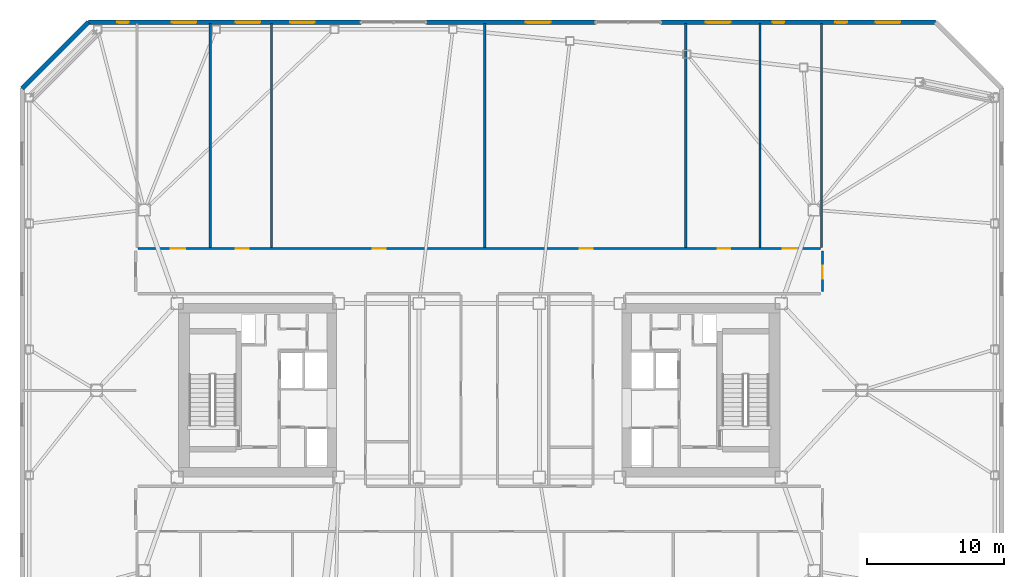
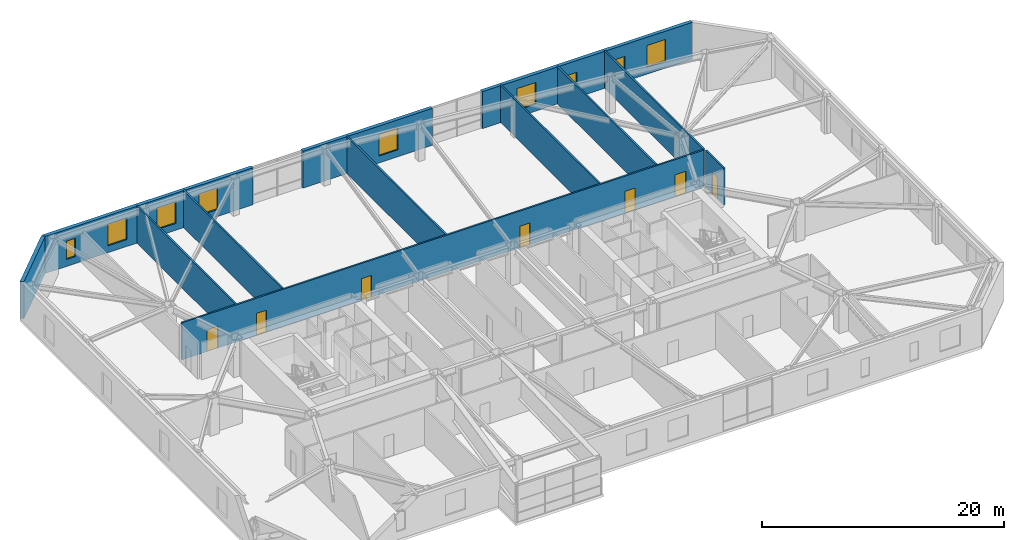
# One storey, part 14 of 19: 12 walls, 9 windows, 7 doors, 16 openings.
"""IFC4 building model written with IfcOpenShell, lengths in metres."""

from ifc_helpers import new_model, si_unit, direction, frame, frame_2d, origin, place, context, subcontext, project, spatial, rectangle, extrude, material, layer, layer_set, type_object, element, fill, save


model = new_model("IFC4")

# Units and contexts
model_context = context("Model", 3, precision=1e-05, world=origin(), true_north=direction((0.0, 1.0)))
body_context = subcontext(model_context, "Body", "Model", "MODEL_VIEW")
ifc_project = project(units=[si_unit("LENGTHUNIT", "METRE"), si_unit("AREAUNIT", "SQUARE_METRE"), si_unit("VOLUMEUNIT", "CUBIC_METRE"), si_unit("PLANEANGLEUNIT", "RADIAN"), si_unit("MASSUNIT", "GRAM", prefix="KILO")], contexts=[model_context])

# Site, building, storey
site_placement = place(None, origin())
site = spatial("IfcSite", under=ifc_project, at=site_placement, CompositionType="ELEMENT")
building_placement = place(site_placement, origin())
building = spatial("IfcBuilding", under=site, at=building_placement, Name="Tavrogorsk Clinical Tower", CompositionType="ELEMENT")
storey_placement = place(building_placement, frame((0.0, 0.0, 156.199951171875)))
storey = spatial("IfcBuildingStorey", under=building, at=storey_placement, Name="L35", CompositionType="ELEMENT", Elevation=156.199951171875)

# Wall, openings, doors
ifc_material_1 = material(Name="Lightweight concrete blockwork B15", Category="masonry")
ifc_layer_1 = layer(ifc_material_1, 0.159912109375)
ifc_layer_set_1 = layer_set([ifc_layer_1], Name="Lightweight concrete blockwork B15")
wall_type_1 = type_object("IfcWallType", Name="PartitionWall_160", PredefinedType="PARTITIONING", material=ifc_layer_set_1)
wall_1_placement = place(storey_placement, frame((-24.965087890625, 10.3798828125, 0.0), z_axis=(0.0, 0.0, 1.0), x_axis=(1.0, 0.0, 0.0)))
wall_1 = element("IfcWall", 1, at=wall_1_placement, inside=storey, type_object=wall_type_1, Name="L35 Corridor Partition 07", PredefinedType="PARTITIONING", context=body_context, shape_type="SweptSolid", body=[
    extrude(rectangle(XDim=49.93017578125, YDim=0.159912109375, at=frame_2d((24.965087890625, 0.0))), origin(), (0.0, 0.0, 1.0), 3.739990234375),
])
opening_1_placement = place(wall_1_placement, frame((2.406494140625, 0.0, 0.0)))
opening_1 = element("IfcOpeningElement", 2, at=opening_1_placement, cuts=wall_1, Name="Opening ID-04", PredefinedType="OPENING", context=body_context, shape_type="SweptSolid", body=[
    extrude(rectangle(XDim=1.050048828125, YDim=2.199951171875, at=frame_2d((0.52490234375, 1.10009765625))), frame((0.0, 0.08984375, 0.0), z_axis=(0.0, -1.0, 0.0), x_axis=(1.0, 0.0, 0.0)), (0.0, 0.0, 1.0), 0.179931640625),
])
opening_2_placement = place(wall_1_placement, frame((7.137451171875, 0.0, 0.0)))
opening_2 = element("IfcOpeningElement", 3, at=opening_2_placement, cuts=wall_1, Name="Opening ID-02", PredefinedType="OPENING", context=body_context, shape_type="SweptSolid", body=[
    extrude(rectangle(XDim=0.949951171875, YDim=2.199951171875, at=frame_2d((0.47509765625, 1.10009765625))), frame((0.0, 0.08984375, 0.0), z_axis=(0.0, -1.0, 0.0), x_axis=(1.0, 0.0, 0.0)), (0.0, 0.0, 1.0), 0.179931640625),
])
opening_3_placement = place(wall_1_placement, frame((17.179931640625, 0.0, 0.0)))
opening_3 = element("IfcOpeningElement", 4, at=opening_3_placement, cuts=wall_1, Name="Opening ID-02", PredefinedType="OPENING", context=body_context, shape_type="SweptSolid", body=[
    extrude(rectangle(XDim=0.949951171875, YDim=2.199951171875, at=frame_2d((0.47509765625, 1.10009765625))), frame((0.0, 0.08984375, 0.0), z_axis=(0.0, -1.0, 0.0), x_axis=(1.0, 0.0, 0.0)), (0.0, 0.0, 1.0), 0.179931640625),
])
opening_4_placement = place(wall_1_placement, frame((32.340087890625, 0.0, 0.0)))
opening_4 = element("IfcOpeningElement", 5, at=opening_4_placement, cuts=wall_1, Name="Opening ID-02", PredefinedType="OPENING", context=body_context, shape_type="SweptSolid", body=[
    extrude(rectangle(XDim=0.949951171875, YDim=2.199951171875, at=frame_2d((0.47509765625, 1.10009765625))), frame((0.0, 0.08984375, 0.0), z_axis=(0.0, -1.0, 0.0), x_axis=(1.0, 0.0, 0.0)), (0.0, 0.0, 1.0), 0.179931640625),
])
opening_5_placement = place(wall_1_placement, frame((42.402587890625, 0.0, 0.0)))
opening_5 = element("IfcOpeningElement", 6, at=opening_5_placement, cuts=wall_1, Name="Opening ID-02", PredefinedType="OPENING", context=body_context, shape_type="SweptSolid", body=[
    extrude(rectangle(XDim=0.949951171875, YDim=2.199951171875, at=frame_2d((0.47509765625, 1.10009765625))), frame((0.0, 0.08984375, 0.0), z_axis=(0.0, -1.0, 0.0), x_axis=(1.0, 0.0, 0.0)), (0.0, 0.0, 1.0), 0.179931640625),
])
opening_6_placement = place(wall_1_placement, frame((47.17333984375, 0.0, 0.0)))
opening_6 = element("IfcOpeningElement", 7, at=opening_6_placement, cuts=wall_1, Name="Opening ID-04", PredefinedType="OPENING", context=body_context, shape_type="SweptSolid", body=[
    extrude(rectangle(XDim=1.050048828125, YDim=2.199951171875, at=frame_2d((0.52490234375, 1.10009765625))), frame((0.0, 0.08984375, 0.0), z_axis=(0.0, -1.0, 0.0), x_axis=(1.0, 0.0, 0.0)), (0.0, 0.0, 1.0), 0.179931640625),
])
ifc_material_2 = material(Name="Antibacterial HPL consultation door on aluminium frame", Category="aluminium")
door_type_1 = type_object("IfcDoorType", Name="ConsultDoor_ID04_1050", OperationType="NOTDEFINED", PredefinedType="DOOR", material=ifc_material_2)
door_1_placement = place(opening_1_placement, origin())
door_1 = element("IfcDoor", 8, at=door_1_placement, inside=storey, type_object=door_type_1, Name="L35 North Medical Library Reading Lounge 01A Door", OperationType="SINGLE_SWING_LEFT", OverallHeight=2.199951171875, OverallWidth=1.050048828125, PredefinedType="DOOR", context=body_context, shape_type="SweptSolid", body=[
    extrude(rectangle(XDim=1.050048828125, YDim=2.199951171875, at=frame_2d((0.52490234375, 1.10009765625))), frame((0.0, 0.02490234375, 0.0), z_axis=(0.0, -1.0, 0.0), x_axis=(1.0, 0.0, 0.0)), (0.0, 0.0, 1.0), 0.050048828125),
])
fill(opening_1, door_1)
door_2_placement = place(opening_6_placement, origin())
door_2 = element("IfcDoor", 9, at=door_2_placement, inside=storey, type_object=door_type_1, Name="L35 North Simulation Manikin Storage Room 03B Door", OperationType="SINGLE_SWING_RIGHT", OverallHeight=2.199951171875, OverallWidth=1.050048828125, PredefinedType="DOOR", context=body_context, shape_type="SweptSolid", body=[
    extrude(rectangle(XDim=1.050048828125, YDim=2.199951171875, at=frame_2d((0.52490234375, 1.10009765625))), frame((0.0, 0.02490234375, 0.0), z_axis=(0.0, -1.0, 0.0), x_axis=(1.0, 0.0, 0.0)), (0.0, 0.0, 1.0), 0.050048828125),
])
fill(opening_6, door_2)
ifc_material_3 = material(Name="Laminated timber leaf on aluminium frame", Category="wood")
door_type_2 = type_object("IfcDoorType", Name="InteriorDoor_ID02_950", OperationType="NOTDEFINED", PredefinedType="DOOR", material=ifc_material_3)
door_3_placement = place(opening_2_placement, origin())
door_3 = element("IfcDoor", 10, at=door_3_placement, inside=storey, type_object=door_type_2, Name="L35 North Academic Simulation & Skills Lab 01B Door", OperationType="SINGLE_SWING_RIGHT", OverallHeight=2.199951171875, OverallWidth=0.949951171875, PredefinedType="DOOR", context=body_context, shape_type="SweptSolid", body=[
    extrude(rectangle(XDim=0.949951171875, YDim=2.199951171875, at=frame_2d((0.47509765625, 1.10009765625))), frame((0.0, 0.02490234375, 0.0), z_axis=(0.0, -1.0, 0.0), x_axis=(1.0, 0.0, 0.0)), (0.0, 0.0, 1.0), 0.050048828125),
])
fill(opening_2, door_3)
door_4_placement = place(opening_3_placement, origin())
door_4 = element("IfcDoor", 11, at=door_4_placement, inside=storey, type_object=door_type_2, Name="L35 North Simulation Manikin Storage Room 02A Door", OperationType="SINGLE_SWING_LEFT", OverallHeight=2.199951171875, OverallWidth=0.949951171875, PredefinedType="DOOR", context=body_context, shape_type="SweptSolid", body=[
    extrude(rectangle(XDim=0.949951171875, YDim=2.199951171875, at=frame_2d((0.47509765625, 1.10009765625))), frame((0.0, 0.02490234375, 0.0), z_axis=(0.0, -1.0, 0.0), x_axis=(1.0, 0.0, 0.0)), (0.0, 0.0, 1.0), 0.050048828125),
])
fill(opening_3, door_4)
door_5_placement = place(opening_4_placement, origin())
door_5 = element("IfcDoor", 12, at=door_5_placement, inside=storey, type_object=door_type_2, Name="L35 North Medical Library Reading Lounge 02B Door", OperationType="SINGLE_SWING_RIGHT", OverallHeight=2.199951171875, OverallWidth=0.949951171875, PredefinedType="DOOR", context=body_context, shape_type="SweptSolid", body=[
    extrude(rectangle(XDim=0.949951171875, YDim=2.199951171875, at=frame_2d((0.47509765625, 1.10009765625))), frame((0.0, 0.02490234375, 0.0), z_axis=(0.0, -1.0, 0.0), x_axis=(1.0, 0.0, 0.0)), (0.0, 0.0, 1.0), 0.050048828125),
])
fill(opening_4, door_5)
door_6_placement = place(opening_5_placement, origin())
door_6 = element("IfcDoor", 13, at=door_6_placement, inside=storey, type_object=door_type_2, Name="L35 North Clinical Informatics Research Office 03A Door", OperationType="SINGLE_SWING_LEFT", OverallHeight=2.199951171875, OverallWidth=0.949951171875, PredefinedType="DOOR", context=body_context, shape_type="SweptSolid", body=[
    extrude(rectangle(XDim=0.949951171875, YDim=2.199951171875, at=frame_2d((0.47509765625, 1.10009765625))), frame((0.0, 0.02490234375, 0.0), z_axis=(0.0, -1.0, 0.0), x_axis=(1.0, 0.0, 0.0)), (0.0, 0.0, 1.0), 0.050048828125),
])
fill(opening_5, door_6)

# Wall, opening, door
wall_2_placement = place(storey_placement, frame((25.1298828125, 10.215087890625, 0.0), z_axis=(0.0, 0.0, 1.0), x_axis=(0.0, -1.0, 0.0)))
wall_2 = element("IfcWall", 14, at=wall_2_placement, inside=storey, type_object=wall_type_1, Name="L35 Corridor Partition 08", PredefinedType="PARTITIONING", context=body_context, shape_type="SweptSolid", body=[
    extrude(rectangle(XDim=2.97998046875, YDim=0.159912109375, at=frame_2d((1.489990234375, 0.0))), origin(), (0.0, 0.0, 1.0), 3.739990234375),
])
opening_7_placement = place(wall_2_placement, frame((1.10009765625, 0.0, 0.0)))
opening_7 = element("IfcOpeningElement", 15, at=opening_7_placement, cuts=wall_2, Name="Opening ID-02", PredefinedType="OPENING", context=body_context, shape_type="SweptSolid", body=[
    extrude(rectangle(XDim=0.949951171875, YDim=2.199951171875, at=frame_2d((0.47509765625, 1.10009765625))), frame((0.0, 0.08984375, 0.0), z_axis=(0.0, -1.0, 0.0), x_axis=(1.0, 0.0, 0.0)), (0.0, 0.0, 1.0), 0.179931640625),
])
door_7_placement = place(opening_7_placement, origin())
door_7 = element("IfcDoor", 16, at=door_7_placement, inside=storey, type_object=door_type_2, Name="L35 E Multidisciplinary Seminar Suite 2 Door", OperationType="SINGLE_SWING_LEFT", OverallHeight=2.199951171875, OverallWidth=0.949951171875, PredefinedType="DOOR", context=body_context, shape_type="SweptSolid", body=[
    extrude(rectangle(XDim=0.949951171875, YDim=2.199951171875, at=frame_2d((0.47509765625, 1.10009765625))), frame((0.0, 0.02490234375, 0.0), z_axis=(0.0, -1.0, 0.0), x_axis=(1.0, 0.0, 0.0)), (0.0, 0.0, 1.0), 0.050048828125),
])
fill(opening_7, door_7)

# Walls
for number, where, z_axis, x_axis, name in (
    (17, (25.050048828125, 10.465087890625, 0.0), (0.0, 0.0, 1.0), (0.0, 1.0, 0.0), "L35 NE Wing Closure Partition"),
    (18, (-15.199951171875, 10.465087890625, 0.0), (0.0, 0.0, 1.0), (0.0, 1.0, 0.0), "L35 North Room Partition 1"),
    (19, (15.1201171875, 10.465087890625, 0.0), (0.0, 0.0, 1.0), (0.0, 1.0, 0.0), "L35 North Room Partition 2"),
    (20, (-19.675048828125, 10.465087890625, 0.0), (0.0, 0.0, 1.0), (0.0, 1.0, 0.0), "L35 North Sub-Partition 1"),
    (21, (0.409912109375, 10.465087890625, 0.0), (0.0, 0.0, 1.0), (0.0, 1.0, 0.0), "L35 North Sub-Partition 2"),
    (22, (20.534912109375, 10.465087890625, 0.0), (0.0, 0.0, 1.0), (0.0, 1.0, 0.0), "L35 North Sub-Partition 3"),
):
    element("IfcWall", number, at=place(storey_placement, frame(where, z_axis=z_axis, x_axis=x_axis)), inside=storey, type_object=wall_type_1, Name=name, PredefinedType="PARTITIONING", context=body_context, shape_type="SweptSolid", body=[
        extrude(rectangle(XDim=16.39501953125, YDim=0.159912109375, at=frame_2d((8.197509765625, 0.0))), origin(), (0.0, 0.0, 1.0), 3.739990234375),
    ])

# Wall, openings, windows
ifc_material_4 = material(Name="Precast concrete B45 with limestone cladding", Category="masonry")
ifc_layer_2 = layer(ifc_material_4, 0.340087890625)
ifc_layer_set_2 = layer_set([ifc_layer_2], Name="Precast concrete B45 with limestone cladding")
wall_type_2 = type_object("IfcWallType", Name="PrecastLimestoneWall_340", PredefinedType="STANDARD", material=ifc_layer_set_2)
wall_3_placement = place(storey_placement, frame((33.39990234375, 26.929931640625, 0.0), z_axis=(0.0, 0.0, 1.0), x_axis=(-1.0, 0.0, 0.0)))
wall_3 = element("IfcWall", 23, at=wall_3_placement, inside=storey, type_object=wall_type_2, Name="L35 N Limestone Facade Wall 1", PredefinedType="STANDARD", context=body_context, shape_type="SweptSolid", body=[
    extrude(rectangle(XDim=20.08984375, YDim=0.340087890625, at=frame_2d((10.044921875, 0.0))), origin(), (0.0, 0.0, 1.0), 3.739990234375),
])
opening_8_placement = place(wall_3_placement, frame((15.0048828125, 0.0, 0.699951171875)))
opening_8 = element("IfcOpeningElement", 24, at=opening_8_placement, cuts=wall_3, Name="Opening WN-04", PredefinedType="OPENING", context=body_context, shape_type="SweptSolid", body=[
    extrude(rectangle(XDim=1.800048828125, YDim=2.199951171875, at=frame_2d((0.89990234375, 1.10009765625))), frame((0.0, 0.179931640625, 0.0), z_axis=(0.0, -1.0, 0.0), x_axis=(1.0, 0.0, 0.0)), (0.0, 0.0, 1.0), 0.360107421875),
])
opening_9_placement = place(wall_3_placement, frame((11.0712890625, 0.0, 0.699951171875)))
opening_9 = element("IfcOpeningElement", 25, at=opening_9_placement, cuts=wall_3, Name="Opening WN-06", PredefinedType="OPENING", context=body_context, shape_type="SweptSolid", body=[
    extrude(rectangle(XDim=0.85009765625, YDim=1.85009765625, at=frame_2d((0.425048828125, 0.925048828125))), frame((0.0, 0.179931640625, 0.0), z_axis=(0.0, -1.0, 0.0), x_axis=(1.0, 0.0, 0.0)), (0.0, 0.0, 1.0), 0.360107421875),
])
opening_10_placement = place(wall_3_placement, frame((6.479736328125, 0.0, 0.699951171875)))
opening_10 = element("IfcOpeningElement", 26, at=opening_10_placement, cuts=wall_3, Name="Opening WN-06", PredefinedType="OPENING", context=body_context, shape_type="SweptSolid", body=[
    extrude(rectangle(XDim=0.85009765625, YDim=1.85009765625, at=frame_2d((0.425048828125, 0.925048828125))), frame((0.0, 0.179931640625, 0.0), z_axis=(0.0, -1.0, 0.0), x_axis=(1.0, 0.0, 0.0)), (0.0, 0.0, 1.0), 0.360107421875),
])
opening_11_placement = place(wall_3_placement, frame((2.591064453125, 0.0, 0.699951171875)))
opening_11 = element("IfcOpeningElement", 27, at=opening_11_placement, cuts=wall_3, Name="Opening WN-04", PredefinedType="OPENING", context=body_context, shape_type="SweptSolid", body=[
    extrude(rectangle(XDim=1.800048828125, YDim=2.199951171875, at=frame_2d((0.89990234375, 1.10009765625))), frame((0.0, 0.179931640625, 0.0), z_axis=(0.0, -1.0, 0.0), x_axis=(1.0, 0.0, 0.0)), (0.0, 0.0, 1.0), 0.360107421875),
])
ifc_material_5 = material(Name="Thermally broken aluminium frame and triple IGU", Category="aluminium")
window_type_1 = type_object("IfcWindowType", Name="IsolationWin_1800x2200", PartitioningType="SINGLE_PANEL", PredefinedType="WINDOW", material=ifc_material_5)
window_1_placement = place(opening_8_placement, origin())
window_1 = element("IfcWindow", 28, at=window_1_placement, inside=storey, type_object=window_type_1, Name="L35 N Chicago Window 07", OverallHeight=2.199951171875, OverallWidth=1.800048828125, PartitioningType="SINGLE_PANEL", PredefinedType="WINDOW", context=body_context, shape_type="SweptSolid", body=[
    extrude(rectangle(XDim=1.800048828125, YDim=2.199951171875, at=frame_2d((0.89990234375, 1.10009765625))), frame((0.0, 0.030029296875, 0.0), z_axis=(0.0, -1.0, 0.0), x_axis=(1.0, 0.0, 0.0)), (0.0, 0.0, 1.0), 0.06005859375),
])
fill(opening_8, window_1)
window_2_placement = place(opening_11_placement, origin())
window_2 = element("IfcWindow", 29, at=window_2_placement, inside=storey, type_object=window_type_1, Name="L35 N Chicago Window 10", OverallHeight=2.199951171875, OverallWidth=1.800048828125, PartitioningType="SINGLE_PANEL", PredefinedType="WINDOW", context=body_context, shape_type="SweptSolid", body=[
    extrude(rectangle(XDim=1.800048828125, YDim=2.199951171875, at=frame_2d((0.89990234375, 1.10009765625))), frame((0.0, 0.030029296875, 0.0), z_axis=(0.0, -1.0, 0.0), x_axis=(1.0, 0.0, 0.0)), (0.0, 0.0, 1.0), 0.06005859375),
])
fill(opening_11, window_2)
ifc_material_6 = material(Name="Thermally broken aluminium frame and triple IGU", Category="aluminium")
window_type_2 = type_object("IfcWindowType", Name="MullionSubWin_850x1850", PartitioningType="SINGLE_PANEL", PredefinedType="WINDOW", material=ifc_material_6)
window_3_placement = place(opening_9_placement, origin())
window_3 = element("IfcWindow", 30, at=window_3_placement, inside=storey, type_object=window_type_2, Name="L35 N Mullion Split Window 08A", OverallHeight=1.85009765625, OverallWidth=0.85009765625, PartitioningType="SINGLE_PANEL", PredefinedType="WINDOW", context=body_context, shape_type="SweptSolid", body=[
    extrude(rectangle(XDim=0.85009765625, YDim=1.85009765625, at=frame_2d((0.425048828125, 0.925048828125))), frame((0.0, 0.030029296875, 0.0), z_axis=(0.0, -1.0, 0.0), x_axis=(1.0, 0.0, 0.0)), (0.0, 0.0, 1.0), 0.06005859375),
])
fill(opening_9, window_3)
window_4_placement = place(opening_10_placement, origin())
window_4 = element("IfcWindow", 31, at=window_4_placement, inside=storey, type_object=window_type_2, Name="L35 N Mullion Split Window 09A", OverallHeight=1.85009765625, OverallWidth=0.85009765625, PartitioningType="SINGLE_PANEL", PredefinedType="WINDOW", context=body_context, shape_type="SweptSolid", body=[
    extrude(rectangle(XDim=0.85009765625, YDim=1.85009765625, at=frame_2d((0.425048828125, 0.925048828125))), frame((0.0, 0.030029296875, 0.0), z_axis=(0.0, -1.0, 0.0), x_axis=(1.0, 0.0, 0.0)), (0.0, 0.0, 1.0), 0.06005859375),
])
fill(opening_10, window_4)

# Wall, opening, window
wall_4_placement = place(storey_placement, frame((8.510009765625, 26.929931640625, 0.0), z_axis=(0.0, 0.0, 1.0), x_axis=(-1.0, 0.0, 0.0)))
wall_4 = element("IfcWall", 32, at=wall_4_placement, inside=storey, type_object=wall_type_2, Name="L35 N Limestone Facade Wall 2", PredefinedType="STANDARD", context=body_context, shape_type="SweptSolid", body=[
    extrude(rectangle(XDim=12.372802734375, YDim=0.340087890625, at=frame_2d((6.1865234375, 0.0))), origin(), (0.0, 0.0, 1.0), 3.739990234375),
])
opening_12_placement = place(wall_4_placement, frame((3.28857421875, 0.0, 0.699951171875)))
opening_12 = element("IfcOpeningElement", 33, at=opening_12_placement, cuts=wall_4, Name="Opening WN-04", PredefinedType="OPENING", context=body_context, shape_type="SweptSolid", body=[
    extrude(rectangle(XDim=1.800048828125, YDim=2.199951171875, at=frame_2d((0.89990234375, 1.10009765625))), frame((0.0, 0.179931640625, 0.0), z_axis=(0.0, -1.0, 0.0), x_axis=(1.0, 0.0, 0.0)), (0.0, 0.0, 1.0), 0.360107421875),
])
window_5_placement = place(opening_12_placement, origin())
window_5 = element("IfcWindow", 34, at=window_5_placement, inside=storey, type_object=window_type_1, Name="L35 N Chicago Window 06", OverallHeight=2.199951171875, OverallWidth=1.800048828125, PartitioningType="SINGLE_PANEL", PredefinedType="WINDOW", context=body_context, shape_type="SweptSolid", body=[
    extrude(rectangle(XDim=1.800048828125, YDim=2.199951171875, at=frame_2d((0.89990234375, 1.10009765625))), frame((0.0, 0.030029296875, 0.0), z_axis=(0.0, -1.0, 0.0), x_axis=(1.0, 0.0, 0.0)), (0.0, 0.0, 1.0), 0.06005859375),
])
fill(opening_12, window_5)

# Wall, openings, windows
wall_5_placement = place(storey_placement, frame((-8.662841796875, 26.929931640625, 0.0), z_axis=(0.0, 0.0, 1.0), x_axis=(-1.0, 0.0, 0.0)))
wall_5 = element("IfcWall", 35, at=wall_5_placement, inside=storey, type_object=wall_type_2, Name="L35 N Limestone Facade Wall 3", PredefinedType="STANDARD", context=body_context, shape_type="SweptSolid", body=[
    extrude(rectangle(XDim=19.937255859375, YDim=0.340087890625, at=frame_2d((9.96875, 0.0))), origin(), (0.0, 0.0, 1.0), 3.739990234375),
])
opening_13_placement = place(wall_5_placement, frame((16.96826171875, 0.0, 0.699951171875)))
opening_13 = element("IfcOpeningElement", 36, at=opening_13_placement, cuts=wall_5, Name="Opening WN-06", PredefinedType="OPENING", context=body_context, shape_type="SweptSolid", body=[
    extrude(rectangle(XDim=0.85009765625, YDim=1.85009765625, at=frame_2d((0.425048828125, 0.925048828125))), frame((0.0, 0.179931640625, 0.0), z_axis=(0.0, -1.0, 0.0), x_axis=(1.0, 0.0, 0.0)), (0.0, 0.0, 1.0), 0.360107421875),
])
opening_14_placement = place(wall_5_placement, frame((12.033203125, 0.0, 0.699951171875)))
opening_14 = element("IfcOpeningElement", 37, at=opening_14_placement, cuts=wall_5, Name="Opening WN-04", PredefinedType="OPENING", context=body_context, shape_type="SweptSolid", body=[
    extrude(rectangle(XDim=1.800048828125, YDim=2.199951171875, at=frame_2d((0.89990234375, 1.10009765625))), frame((0.0, 0.179931640625, 0.0), z_axis=(0.0, -1.0, 0.0), x_axis=(1.0, 0.0, 0.0)), (0.0, 0.0, 1.0), 0.360107421875),
])
opening_15_placement = place(wall_5_placement, frame((7.355224609375, 0.0, 0.699951171875)))
opening_15 = element("IfcOpeningElement", 38, at=opening_15_placement, cuts=wall_5, Name="Opening WN-04", PredefinedType="OPENING", context=body_context, shape_type="SweptSolid", body=[
    extrude(rectangle(XDim=1.800048828125, YDim=2.199951171875, at=frame_2d((0.89990234375, 1.10009765625))), frame((0.0, 0.179931640625, 0.0), z_axis=(0.0, -1.0, 0.0), x_axis=(1.0, 0.0, 0.0)), (0.0, 0.0, 1.0), 0.360107421875),
])
opening_16_placement = place(wall_5_placement, frame((3.37060546875, 0.0, 0.699951171875)))
opening_16 = element("IfcOpeningElement", 39, at=opening_16_placement, cuts=wall_5, Name="Opening WN-04", PredefinedType="OPENING", context=body_context, shape_type="SweptSolid", body=[
    extrude(rectangle(XDim=1.800048828125, YDim=2.199951171875, at=frame_2d((0.89990234375, 1.10009765625))), frame((0.0, 0.179931640625, 0.0), z_axis=(0.0, -1.0, 0.0), x_axis=(1.0, 0.0, 0.0)), (0.0, 0.0, 1.0), 0.360107421875),
])
window_6_placement = place(opening_14_placement, origin())
window_6 = element("IfcWindow", 40, at=window_6_placement, inside=storey, type_object=window_type_1, Name="L35 N Chicago Window 02", OverallHeight=2.199951171875, OverallWidth=1.800048828125, PartitioningType="SINGLE_PANEL", PredefinedType="WINDOW", context=body_context, shape_type="SweptSolid", body=[
    extrude(rectangle(XDim=1.800048828125, YDim=2.199951171875, at=frame_2d((0.89990234375, 1.10009765625))), frame((0.0, 0.030029296875, 0.0), z_axis=(0.0, -1.0, 0.0), x_axis=(1.0, 0.0, 0.0)), (0.0, 0.0, 1.0), 0.06005859375),
])
fill(opening_14, window_6)
window_7_placement = place(opening_15_placement, origin())
window_7 = element("IfcWindow", 41, at=window_7_placement, inside=storey, type_object=window_type_1, Name="L35 N Chicago Window 03", OverallHeight=2.199951171875, OverallWidth=1.800048828125, PartitioningType="SINGLE_PANEL", PredefinedType="WINDOW", context=body_context, shape_type="SweptSolid", body=[
    extrude(rectangle(XDim=1.800048828125, YDim=2.199951171875, at=frame_2d((0.89990234375, 1.10009765625))), frame((0.0, 0.030029296875, 0.0), z_axis=(0.0, -1.0, 0.0), x_axis=(1.0, 0.0, 0.0)), (0.0, 0.0, 1.0), 0.06005859375),
])
fill(opening_15, window_7)
window_8_placement = place(opening_16_placement, origin())
window_8 = element("IfcWindow", 42, at=window_8_placement, inside=storey, type_object=window_type_1, Name="L35 N Chicago Window 04", OverallHeight=2.199951171875, OverallWidth=1.800048828125, PartitioningType="SINGLE_PANEL", PredefinedType="WINDOW", context=body_context, shape_type="SweptSolid", body=[
    extrude(rectangle(XDim=1.800048828125, YDim=2.199951171875, at=frame_2d((0.89990234375, 1.10009765625))), frame((0.0, 0.030029296875, 0.0), z_axis=(0.0, -1.0, 0.0), x_axis=(1.0, 0.0, 0.0)), (0.0, 0.0, 1.0), 0.06005859375),
])
fill(opening_16, window_8)
window_9_placement = place(opening_13_placement, origin())
window_9 = element("IfcWindow", 43, at=window_9_placement, inside=storey, type_object=window_type_2, Name="L35 N Mullion Split Window 01B", OverallHeight=1.85009765625, OverallWidth=0.85009765625, PartitioningType="SINGLE_PANEL", PredefinedType="WINDOW", context=body_context, shape_type="SweptSolid", body=[
    extrude(rectangle(XDim=0.85009765625, YDim=1.85009765625, at=frame_2d((0.425048828125, 0.925048828125))), frame((0.0, 0.030029296875, 0.0), z_axis=(0.0, -1.0, 0.0), x_axis=(1.0, 0.0, 0.0)), (0.0, 0.0, 1.0), 0.06005859375),
])
fill(opening_13, window_9)

# Wall
wall_6_placement = place(storey_placement, frame((-28.60009765625, 26.929931640625, 0.0), z_axis=(0.0, 0.0, 1.0), x_axis=(-0.707106781187, -0.707106781187, 0.0)))
element("IfcWall", 44, at=wall_6_placement, inside=storey, type_object=wall_type_2, Name="L35 Chamfered Corner Wall 3", PredefinedType="STANDARD", context=body_context, shape_type="SweptSolid", body=[
    extrude(rectangle(XDim=6.830322265625, YDim=0.340087890625, at=frame_2d((3.4150390625, 0.0))), origin(), (0.0, 0.0, 1.0), 3.739990234375),
])

save(model, "model.ifc")
